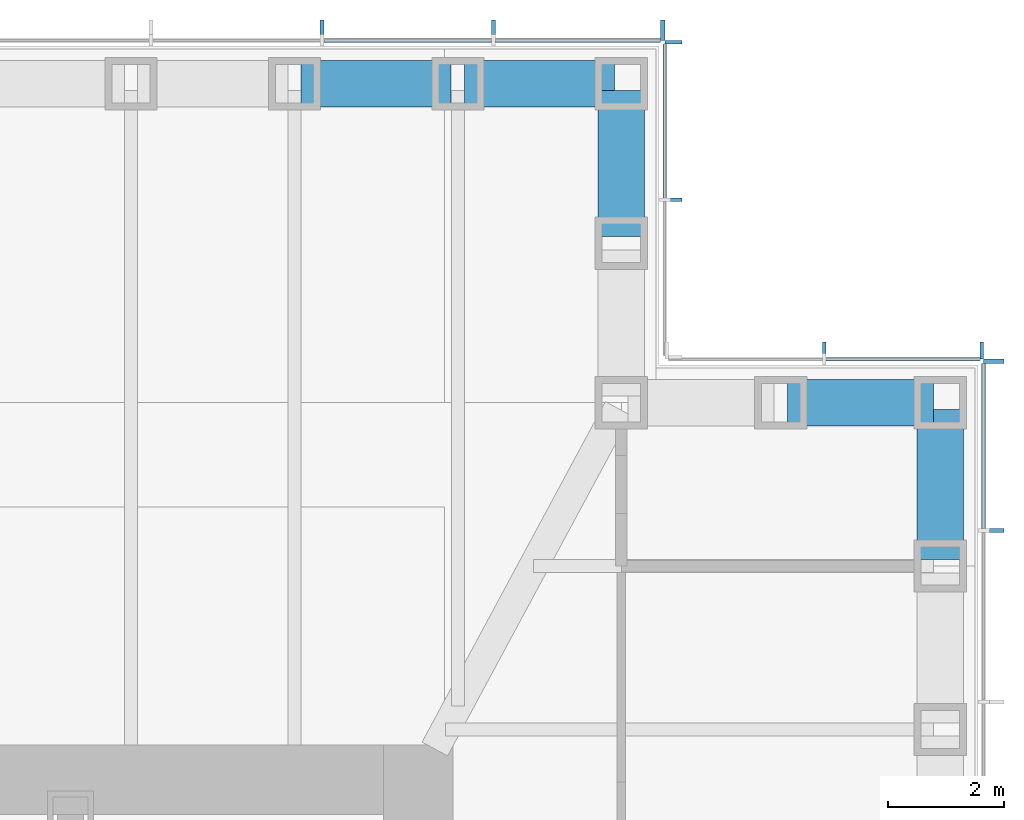
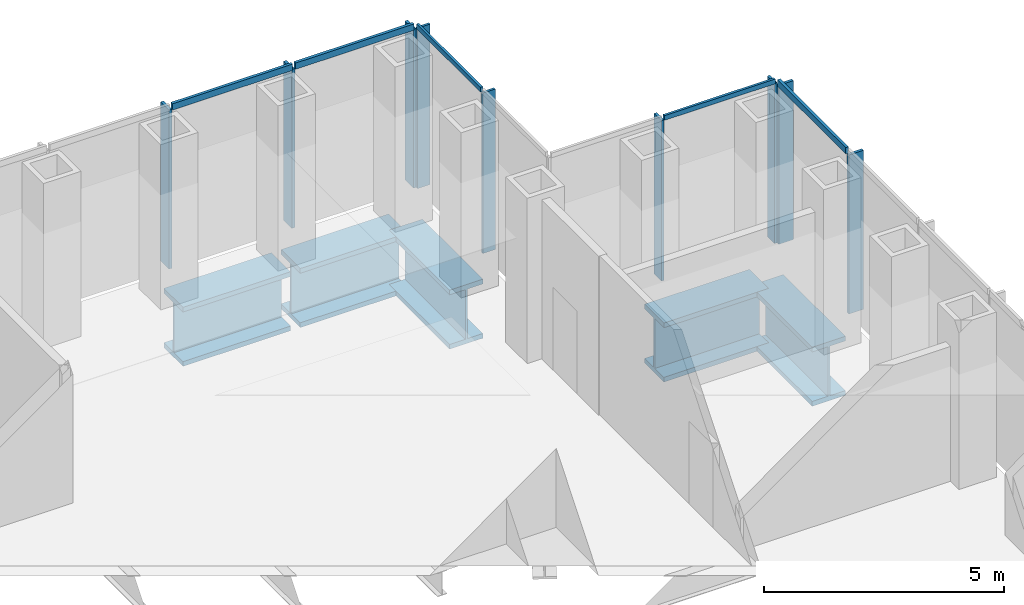
# One storey, part 6 of 16: 14 members, 5 beams, 4 elements without a shape of their own.
"""IFC4 building model written with IfcOpenShell, lengths in metres."""

from ifc_helpers import new_model, si_unit, direction, frame, origin, origin_2d, place, context, subcontext, project, spatial, rectangle, i_section, extrude, material, material_profile, profile_set, type_object, element, aggregate, save


model = new_model("IFC4")

# Units and contexts
model_context = context("Model", 3, precision=1e-05, world=origin(), true_north=direction((0.0, 1.0)))
body_context = subcontext(model_context, "Body", "Model", "MODEL_VIEW")
ifc_project = project(units=[si_unit("LENGTHUNIT", "METRE"), si_unit("AREAUNIT", "SQUARE_METRE"), si_unit("VOLUMEUNIT", "CUBIC_METRE"), si_unit("PLANEANGLEUNIT", "RADIAN"), si_unit("MASSUNIT", "GRAM", prefix="KILO")], contexts=[model_context])

# Site, building, storey
site_placement = place(None, origin())
site = spatial("IfcSite", under=ifc_project, at=site_placement, CompositionType="ELEMENT")
building_placement = place(site_placement, origin())
building = spatial("IfcBuilding", under=site, at=building_placement, Name="Daluyong Arena Tower", CompositionType="ELEMENT")
storey_placement = place(building_placement, frame((0.0, 0.0, 198.10009765625)))
storey = spatial("IfcBuildingStorey", under=building, at=storey_placement, Name="L44", CompositionType="ELEMENT", Elevation=198.10009765625)

# Curtain wall, members
ifc_material_1 = material(Name="Bronze anodised aluminium and glass", Category="aluminium")
curtain_wall_type_1 = type_object("IfcCurtainWallType", Name="Curtain wall CW3", PredefinedType="USERDEFINED", material=ifc_material_1)
curtain_wall_1_placement = place(storey_placement, origin())
curtain_wall_1 = element("IfcCurtainWall", 1, at=curtain_wall_1_placement, inside=storey, type_object=curtain_wall_type_1, Name="curtain wall L44 E", ObjectType="UNITISED CURTAIN WALL", PredefinedType="USERDEFINED")
ifc_material_2 = material(Name="Bronze anodised aluminium fin", Category="aluminium")
ifc_material_profile_1 = material_profile(ifc_material_2, rectangle(XDim=0.35009765625, YDim=0.070068359375, at=origin_2d()))
ifc_profile_set_1 = profile_set([ifc_material_profile_1], Name="Bronze anodised aluminium fin")
member_type_1 = type_object("IfcMemberType", Name="CW3 bronze fin 350x70", PredefinedType="MULLION", material=ifc_profile_set_1)
member_1_placement = place(storey_placement, frame((77.925048828125, 93.29541015625, 0.0), z_axis=(0.0, 0.0, 1.0), x_axis=(-1.0, 0.0, 0.0)))
member_1 = element("IfcMember", 2, at=member_1_placement, type_object=member_type_1, Name="curtain wall L44 E fin 11", PredefinedType="MULLION", context=body_context, shape_type="SweptSolid", body=[
    extrude(rectangle(XDim=0.35009765625, YDim=0.070068359375, at=origin_2d()), origin(), (0.0, 0.0, 1.0), 4.039794921875),
])
member_2_placement = place(storey_placement, frame((77.925048828125, 96.215087890625, 0.0), z_axis=(0.0, 0.0, 1.0), x_axis=(-1.0, 0.0, 0.0)))
member_2 = element("IfcMember", 3, at=member_2_placement, type_object=member_type_1, Name="curtain wall L44 E fin 12", PredefinedType="MULLION", context=body_context, shape_type="SweptSolid", body=[
    extrude(rectangle(XDim=0.35009765625, YDim=0.070068359375, at=origin_2d()), origin(), (0.0, 0.0, 1.0), 4.039794921875),
])

curtain_wall_2_placement = place(storey_placement, origin())
curtain_wall_2 = element("IfcCurtainWall", 4, at=curtain_wall_2_placement, inside=storey, type_object=curtain_wall_type_1, Name="curtain wall L44 N", ObjectType="UNITISED CURTAIN WALL", PredefinedType="USERDEFINED")
member_3_placement = place(storey_placement, frame((72.215087890625, 101.925048828125, 0.0), z_axis=(0.0, 0.0, 1.0), x_axis=(0.0, -1.0, 0.0)))
member_3 = element("IfcMember", 5, at=member_3_placement, type_object=member_type_1, Name="curtain wall L44 N fin 1", PredefinedType="MULLION", context=body_context, shape_type="SweptSolid", body=[
    extrude(rectangle(XDim=0.35009765625, YDim=0.070068359375, at=origin_2d()), origin(), (0.0, 0.0, 1.0), 4.039794921875),
])
member_4_placement = place(storey_placement, frame((69.29541015625, 101.925048828125, 0.0), z_axis=(0.0, 0.0, 1.0), x_axis=(0.0, -1.0, 0.0)))
member_4 = element("IfcMember", 6, at=member_4_placement, type_object=member_type_1, Name="curtain wall L44 N fin 2", PredefinedType="MULLION", context=body_context, shape_type="SweptSolid", body=[
    extrude(rectangle(XDim=0.35009765625, YDim=0.070068359375, at=origin_2d()), origin(), (0.0, 0.0, 1.0), 4.039794921875),
])
member_5_placement = place(storey_placement, frame((66.3408203125, 101.925048828125, 0.0), z_axis=(0.0, 0.0, 1.0), x_axis=(0.0, -1.0, 0.0)))
member_5 = element("IfcMember", 7, at=member_5_placement, type_object=member_type_1, Name="curtain wall L44 N fin 3", PredefinedType="MULLION", context=body_context, shape_type="SweptSolid", body=[
    extrude(rectangle(XDim=0.35009765625, YDim=0.070068359375, at=origin_2d()), origin(), (0.0, 0.0, 1.0), 4.039794921875),
])

# Member
ifc_material_3 = material(Name="Bronze anodised aluminium", Category="aluminium")
ifc_material_profile_2 = material_profile(ifc_material_3, rectangle(XDim=0.070068359375, YDim=0.159912109375, at=origin_2d()))
ifc_profile_set_2 = profile_set([ifc_material_profile_2], Name="Bronze anodised aluminium")
member_type_2 = type_object("IfcMemberType", Name="CW3 stack transom 160x70", PredefinedType="USERDEFINED", material=ifc_profile_set_2)
member_6_placement = place(storey_placement, frame((77.75, 93.33056640625, 4.119873046875), z_axis=(0.0, 1.0, 0.0), x_axis=(-1.0, 0.0, 0.0)))
member_6 = element("IfcMember", 8, at=member_6_placement, type_object=member_type_2, Name="curtain wall L44 E transom 11", ObjectType="TRANSOM", PredefinedType="USERDEFINED", context=body_context, shape_type="SweptSolid", body=[
    extrude(rectangle(XDim=0.070068359375, YDim=0.159912109375, at=origin_2d()), origin(), (0.0, 0.0, 1.0), 2.849365234375),
])

aggregate(curtain_wall_1, [member_1, member_2, member_6])

member_7_placement = place(storey_placement, frame((72.179931640625, 101.75, 4.119873046875), z_axis=(-1.0, 0.0, 0.0), x_axis=(0.0, -1.0, 0.0)))
member_7 = element("IfcMember", 9, at=member_7_placement, type_object=member_type_2, Name="curtain wall L44 N transom 1", ObjectType="TRANSOM", PredefinedType="USERDEFINED", context=body_context, shape_type="SweptSolid", body=[
    extrude(rectangle(XDim=0.070068359375, YDim=0.159912109375, at=origin_2d()), origin(), (0.0, 0.0, 1.0), 2.849365234375),
])

member_8_placement = place(storey_placement, frame((69.260498046875, 101.75, 4.119873046875), z_axis=(-1.0, 0.0, 0.0), x_axis=(0.0, -1.0, 0.0)))
member_8 = element("IfcMember", 10, at=member_8_placement, type_object=member_type_2, Name="curtain wall L44 N transom 2", ObjectType="TRANSOM", PredefinedType="USERDEFINED", context=body_context, shape_type="SweptSolid", body=[
    extrude(rectangle(XDim=0.070068359375, YDim=0.159912109375, at=origin_2d()), origin(), (0.0, 0.0, 1.0), 2.884521484375),
])

aggregate(curtain_wall_2, [member_3, member_4, member_5, member_7, member_8])

# Curtain wall, members
ifc_material_4 = material(Name="Bronze anodised aluminium and glass", Category="aluminium")
curtain_wall_type_2 = type_object("IfcCurtainWallType", Name="Curtain wall CW7", PredefinedType="USERDEFINED", material=ifc_material_4)
curtain_wall_3_placement = place(storey_placement, origin())
curtain_wall_3 = element("IfcCurtainWall", 11, at=curtain_wall_3_placement, inside=storey, type_object=curtain_wall_type_2, Name="curtain wall L44 NE-N", ObjectType="UNITISED CURTAIN WALL", PredefinedType="USERDEFINED")
ifc_material_5 = material(Name="Bronze anodised aluminium fin", Category="aluminium")
ifc_material_profile_3 = material_profile(ifc_material_5, rectangle(XDim=0.300048828125, YDim=0.06005859375, at=origin_2d()))
ifc_profile_set_3 = profile_set([ifc_material_profile_3], Name="Bronze anodised aluminium fin")
member_type_3 = type_object("IfcMemberType", Name="CW7 bronze fin 300x60", PredefinedType="MULLION", material=ifc_profile_set_3)
member_9_placement = place(storey_placement, frame((77.719970703125, 96.39990234375, 0.0), z_axis=(0.0, 0.0, 1.0), x_axis=(0.0, -1.0, 0.0)))
member_9 = element("IfcMember", 12, at=member_9_placement, type_object=member_type_3, Name="curtain wall L44 NE-N fin 1", PredefinedType="MULLION", context=body_context, shape_type="SweptSolid", body=[
    extrude(rectangle(XDim=0.300048828125, YDim=0.06005859375, at=origin_2d()), origin(), (0.0, 0.0, 1.0), 4.079833984375),
])
member_10_placement = place(storey_placement, frame((75.0, 96.39990234375, 0.0), z_axis=(0.0, 0.0, 1.0), x_axis=(0.0, -1.0, 0.0)))
member_10 = element("IfcMember", 13, at=member_10_placement, type_object=member_type_3, Name="curtain wall L44 NE-N fin 2", PredefinedType="MULLION", context=body_context, shape_type="SweptSolid", body=[
    extrude(rectangle(XDim=0.300048828125, YDim=0.06005859375, at=origin_2d()), origin(), (0.0, 0.0, 1.0), 4.079833984375),
])

curtain_wall_4_placement = place(storey_placement, origin())
curtain_wall_4 = element("IfcCurtainWall", 14, at=curtain_wall_4_placement, inside=storey, type_object=curtain_wall_type_2, Name="curtain wall L44 NE-E", ObjectType="UNITISED CURTAIN WALL", PredefinedType="USERDEFINED")
member_11_placement = place(storey_placement, frame((72.39990234375, 99.0, 0.0), z_axis=(0.0, 0.0, 1.0), x_axis=(-1.0, 0.0, 0.0)))
member_11 = element("IfcMember", 15, at=member_11_placement, type_object=member_type_3, Name="curtain wall L44 NE-E fin 2", PredefinedType="MULLION", context=body_context, shape_type="SweptSolid", body=[
    extrude(rectangle(XDim=0.300048828125, YDim=0.06005859375, at=origin_2d()), origin(), (0.0, 0.0, 1.0), 4.079833984375),
])
member_12_placement = place(storey_placement, frame((72.39990234375, 101.719970703125, 0.0), z_axis=(0.0, 0.0, 1.0), x_axis=(-1.0, 0.0, 0.0)))
member_12 = element("IfcMember", 16, at=member_12_placement, type_object=member_type_3, Name="curtain wall L44 NE-E fin 3", PredefinedType="MULLION", context=body_context, shape_type="SweptSolid", body=[
    extrude(rectangle(XDim=0.300048828125, YDim=0.06005859375, at=origin_2d()), origin(), (0.0, 0.0, 1.0), 4.079833984375),
])

# Member
ifc_material_6 = material(Name="Bronze anodised aluminium", Category="aluminium")
ifc_material_profile_4 = material_profile(ifc_material_6, rectangle(XDim=0.06005859375, YDim=0.1201171875, at=origin_2d()))
ifc_profile_set_4 = profile_set([ifc_material_profile_4], Name="Bronze anodised aluminium")
member_type_4 = type_object("IfcMemberType", Name="CW7 stack transom 120x60", PredefinedType="USERDEFINED", material=ifc_profile_set_4)
member_13_placement = place(storey_placement, frame((77.68994140625, 96.25, 4.139892578125), z_axis=(-1.0, 0.0, 0.0), x_axis=(0.0, -1.0, 0.0)))
member_13 = element("IfcMember", 17, at=member_13_placement, type_object=member_type_4, Name="curtain wall L44 NE-N transom 1", ObjectType="TRANSOM", PredefinedType="USERDEFINED", context=body_context, shape_type="SweptSolid", body=[
    extrude(rectangle(XDim=0.06005859375, YDim=0.1201171875, at=origin_2d()), origin(), (0.0, 0.0, 1.0), 2.659912109375),
])

aggregate(curtain_wall_3, [member_9, member_10, member_13])

member_14_placement = place(storey_placement, frame((72.25, 99.030029296875, 4.139892578125), z_axis=(0.0, 1.0, 0.0), x_axis=(-1.0, 0.0, 0.0)))
member_14 = element("IfcMember", 18, at=member_14_placement, type_object=member_type_4, Name="curtain wall L44 NE-E transom 2", ObjectType="TRANSOM", PredefinedType="USERDEFINED", context=body_context, shape_type="SweptSolid", body=[
    extrude(rectangle(XDim=0.06005859375, YDim=0.1201171875, at=origin_2d()), origin(), (0.0, 0.0, 1.0), 2.659912109375),
])

aggregate(curtain_wall_4, [member_11, member_12, member_14])

# Beams
ifc_material_7 = material(Name="Steel ASTM A588 Grade 50", Category="steel")
ifc_material_profile_5 = material_profile(ifc_material_7, i_section(OverallWidth=0.800048828125, OverallDepth=1.5, WebThickness=0.05, FlangeThickness=0.12, at=origin_2d()))
ifc_profile_set_5 = profile_set([ifc_material_profile_5], Name="Steel ASTM A588 Grade 50")
beam_type = type_object("IfcBeamType", Name="Spandrel Z3 PG1500X800", PredefinedType="SPANDREL", material=ifc_profile_set_5)
beam_1_placement = place(storey_placement, frame((77.0, 92.796875, -0.91015625), z_axis=(0.0, 1.0, 0.0), x_axis=(-1.0, 0.0, 0.0)))
element("IfcBeam", 19, at=beam_1_placement, inside=storey, type_object=beam_type, Name="spandrel z3 SB7", PredefinedType="SPANDREL", context=body_context, shape_type="SweptSolid", body=[
    extrude(i_section(OverallWidth=0.800048828125, OverallDepth=1.5, WebThickness=0.05, FlangeThickness=0.12, at=origin_2d()), origin(), (0.0, 0.0, 1.0), 2.588134765625),
])
for number, where, z_axis, x_axis, name in (
    (20, (76.885009765625, 95.5, -0.91015625), (-1.0, 0.0, 0.0), (0.0, -1.0, 0.0), "spandrel z3 SB7"),
    (21, (71.5, 98.364990234375, -0.91015625), (0.0, 1.0, 0.0), (-1.0, 0.0, 0.0), "spandrel z3 SB7"),
):
    element("IfcBeam", number, at=place(storey_placement, frame(where, z_axis=z_axis, x_axis=x_axis)), inside=storey, type_object=beam_type, Name=name, PredefinedType="SPANDREL", context=body_context, shape_type="SweptSolid", body=[
        extrude(i_section(OverallWidth=0.800048828125, OverallDepth=1.5, WebThickness=0.05, FlangeThickness=0.12, at=origin_2d()), origin(), (0.0, 0.0, 1.0), 2.52001953125),
    ])
beam_2_placement = place(storey_placement, frame((71.385009765625, 101.0, -0.91015625), z_axis=(-1.0, 0.0, 0.0), x_axis=(0.0, -1.0, 0.0)))
element("IfcBeam", 22, at=beam_2_placement, inside=storey, type_object=beam_type, Name="spandrel z3 SB7", PredefinedType="SPANDREL", context=body_context, shape_type="SweptSolid", body=[
    extrude(i_section(OverallWidth=0.800048828125, OverallDepth=1.5, WebThickness=0.05, FlangeThickness=0.12, at=origin_2d()), origin(), (0.0, 0.0, 1.0), 2.588134765625),
])
beam_3_placement = place(storey_placement, frame((68.56689453125, 101.0, -0.91015625), z_axis=(-1.0, 0.0, 0.0), x_axis=(0.0, -1.0, 0.0)))
element("IfcBeam", 23, at=beam_3_placement, inside=storey, type_object=beam_type, Name="spandrel z3 SB7", PredefinedType="SPANDREL", context=body_context, shape_type="SweptSolid", body=[
    extrude(i_section(OverallWidth=0.800048828125, OverallDepth=1.5, WebThickness=0.05, FlangeThickness=0.12, at=origin_2d()), origin(), (0.0, 0.0, 1.0), 2.58837890625),
])

save(model, "model.ifc")
